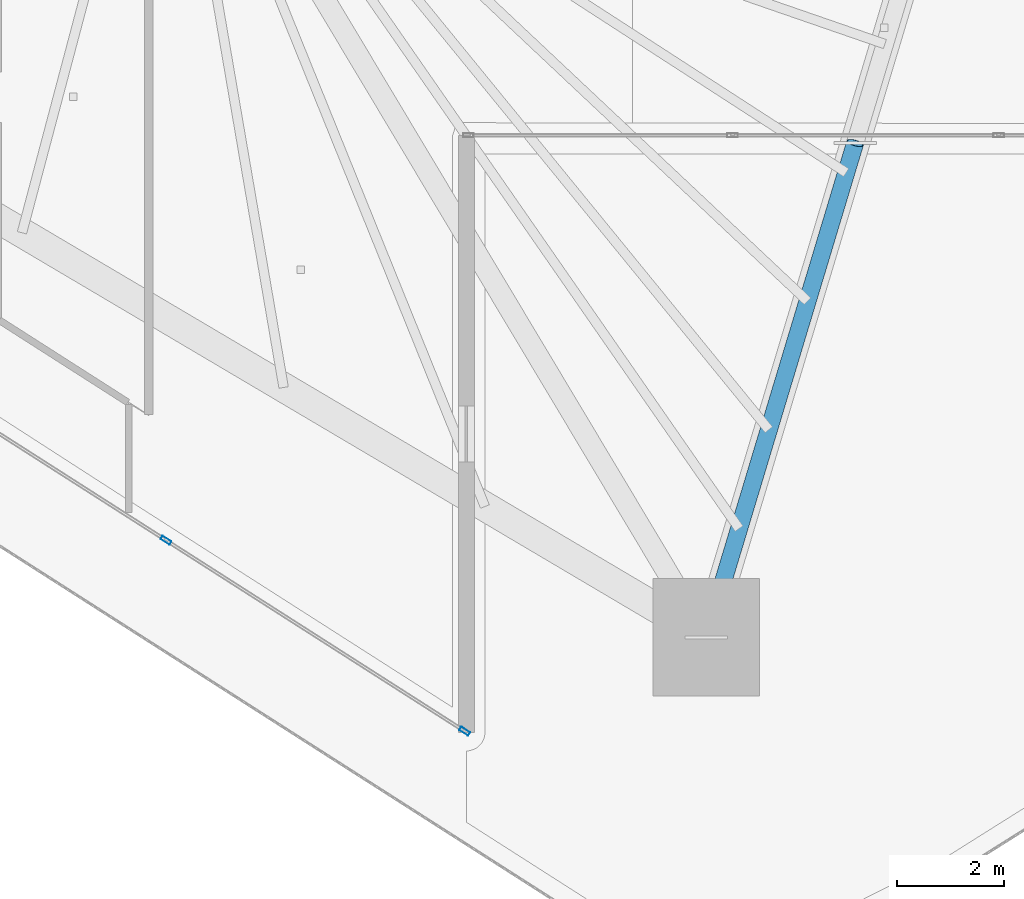
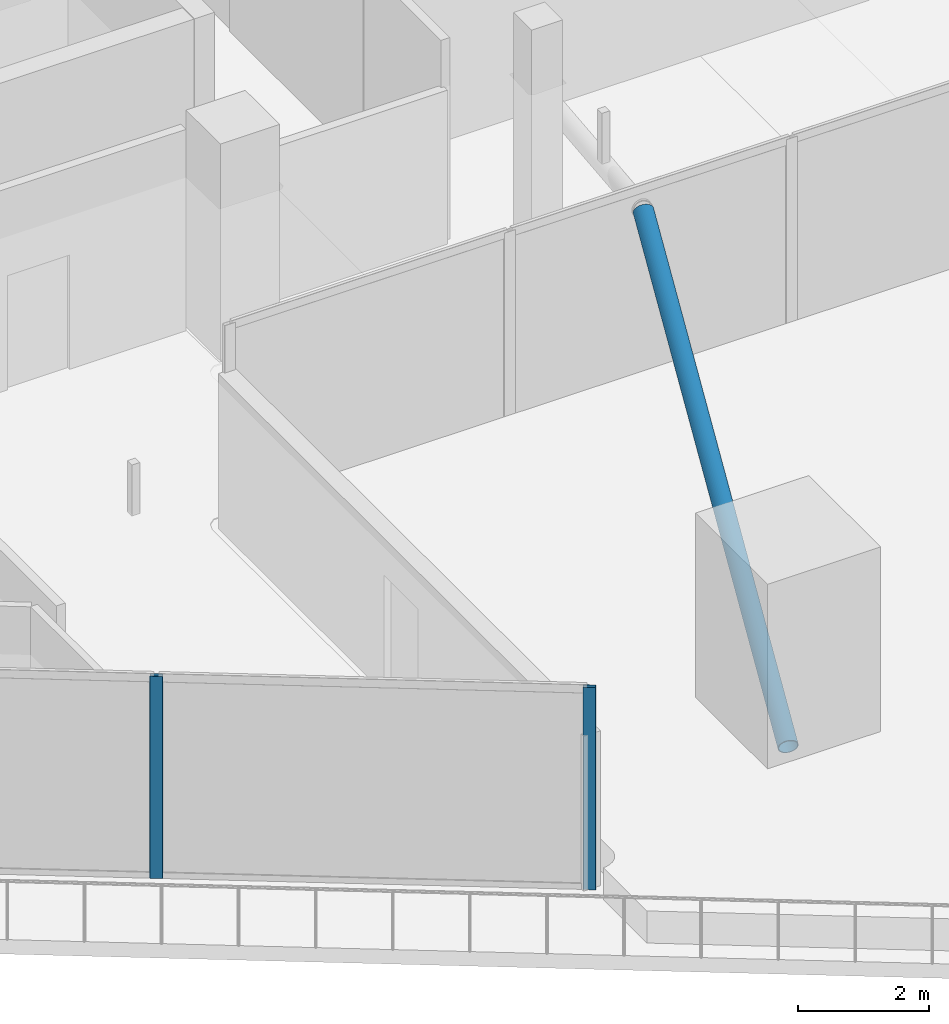
# One storey, part 7 of 38: 3 members, 1 element without a shape of its own.
"""IFC4 building model written with IfcOpenShell, lengths in metres."""

from ifc_helpers import new_model, si_unit, direction, frame, origin, origin_2d, place, context, subcontext, project, spatial, hollow_rectangle, hollow_circle, extrude, material, layer, layer_set, material_profile, profile_set, type_object, element, aggregate, save


model = new_model("IFC4")

# Units and contexts
model_context = context("Model", 3, precision=1e-05, world=origin(), true_north=direction((0.0, 1.0)))
body_context = subcontext(model_context, "Body", "Model", "MODEL_VIEW")
ifc_project = project(units=[si_unit("LENGTHUNIT", "METRE"), si_unit("AREAUNIT", "SQUARE_METRE"), si_unit("VOLUMEUNIT", "CUBIC_METRE"), si_unit("PLANEANGLEUNIT", "RADIAN"), si_unit("MASSUNIT", "GRAM", prefix="KILO")], contexts=[model_context])

# Site, building, storey
site_placement = place(None, origin())
site = spatial("IfcSite", under=ifc_project, at=site_placement, CompositionType="ELEMENT")
building_placement = place(site_placement, origin())
building = spatial("IfcBuilding", under=site, at=building_placement, Name="Qorvath Tower", CompositionType="ELEMENT")
storey_placement = place(building_placement, frame((0.0, 0.0, 158.39990234375)))
storey = spatial("IfcBuildingStorey", under=building, at=storey_placement, Name="L36", CompositionType="ELEMENT", Elevation=158.39990234375)

# Curtain wall, members
ifc_material_1 = material(Name="Anodised aluminium and triple low-E glass", Category="aluminium")
ifc_layer = layer(ifc_material_1, 0.179931640625)
ifc_layer_set = layer_set([ifc_layer], Name="CW-SYS-5")
curtain_wall_type = type_object("IfcCurtainWallType", Name="CW-SYS-5", PredefinedType="NOTDEFINED", material=ifc_layer_set)
curtain_wall_placement = place(storey_placement, origin())
curtain_wall = element("IfcCurtainWall", 1, at=curtain_wall_placement, inside=storey, type_object=curtain_wall_type, Name="Curtain Wall CW-5 CW-T-L36-18.2", PredefinedType="NOTDEFINED")
ifc_material_2 = material(Name="Anodised aluminium 6063-T6", Category="aluminium")
ifc_material_profile_1 = material_profile(ifc_material_2, hollow_rectangle(XDim=0.074951171875, YDim=0.199951171875, WallThickness=0.00390625, InnerFilletRadius=0.00390625, OuterFilletRadius=0.008056640625, at=origin_2d()), Name="CWM 200x75")
ifc_profile_set_1 = profile_set([ifc_material_profile_1], Name="Anodised aluminium 6063-T6")
member_type_1 = type_object("IfcMemberType", Name="CWM-200", PredefinedType="MULLION", material=ifc_profile_set_1)
member_1_placement = place(storey_placement, frame((-25.46630859375, -23.42626953125, 0.0), z_axis=(0.0, 0.0, 1.0), x_axis=(0.538541706926, 0.842598854676, 0.0)))
member_1 = element("IfcMember", 2, at=member_1_placement, type_object=member_type_1, Name="CW-5 mullion 2", PredefinedType="MULLION", context=body_context, shape_type="SweptSolid", body=[
    extrude(hollow_rectangle(XDim=0.074951171875, YDim=0.199951171875, WallThickness=0.00390625, InnerFilletRadius=0.00390625, OuterFilletRadius=0.008056640625, at=origin_2d()), origin(), (0.0, 0.0, 1.0), 3.780029296875),
])
member_2_placement = place(storey_placement, frame((-19.87158203125, -27.001953125, 0.0), z_axis=(0.0, 0.0, 1.0), x_axis=(0.538541706926, 0.842598854676, 0.0)))
member_2 = element("IfcMember", 3, at=member_2_placement, type_object=member_type_1, Name="CW-5 mullion 3", PredefinedType="MULLION", context=body_context, shape_type="SweptSolid", body=[
    extrude(hollow_rectangle(XDim=0.074951171875, YDim=0.199951171875, WallThickness=0.00390625, InnerFilletRadius=0.00390625, OuterFilletRadius=0.008056640625, at=origin_2d()), origin(), (0.0, 0.0, 1.0), 3.780029296875),
])
aggregate(curtain_wall, [member_1, member_2])

# Member
ifc_material_3 = material(Name="Steel ASTM A500 Grade C", Category="steel")
ifc_material_profile_2 = material_profile(ifc_material_3, hollow_circle(Radius=0.161865234375, WallThickness=0.0126953125, at=origin_2d()), Name="CHS 324x12.7")
ifc_profile_set_2 = profile_set([ifc_material_profile_2], Name="Steel ASTM A500 Grade C")
member_type_2 = type_object("IfcMemberType", Name="MEM-ST1", PredefinedType="STRUT", material=ifc_profile_set_2)
member_3_placement = place(storey_placement, frame((-15.34423828125, -25.24609375, 0.0), z_axis=(0.271573525347, 0.902525225837, 0.334209570568), x_axis=(-0.957587679228, 0.288142042386, 0.0)))
element("IfcMember", 4, at=member_3_placement, inside=storey, type_object=member_type_2, Name="Sky Garden Corner Strut L36-A", PredefinedType="STRUT", context=body_context, shape_type="SweptSolid", body=[
    extrude(hollow_circle(Radius=0.161865234375, WallThickness=0.0126953125, at=origin_2d()), origin(), (0.0, 0.0, 1.0), 10.2626953125),
])

save(model, "model.ifc")
